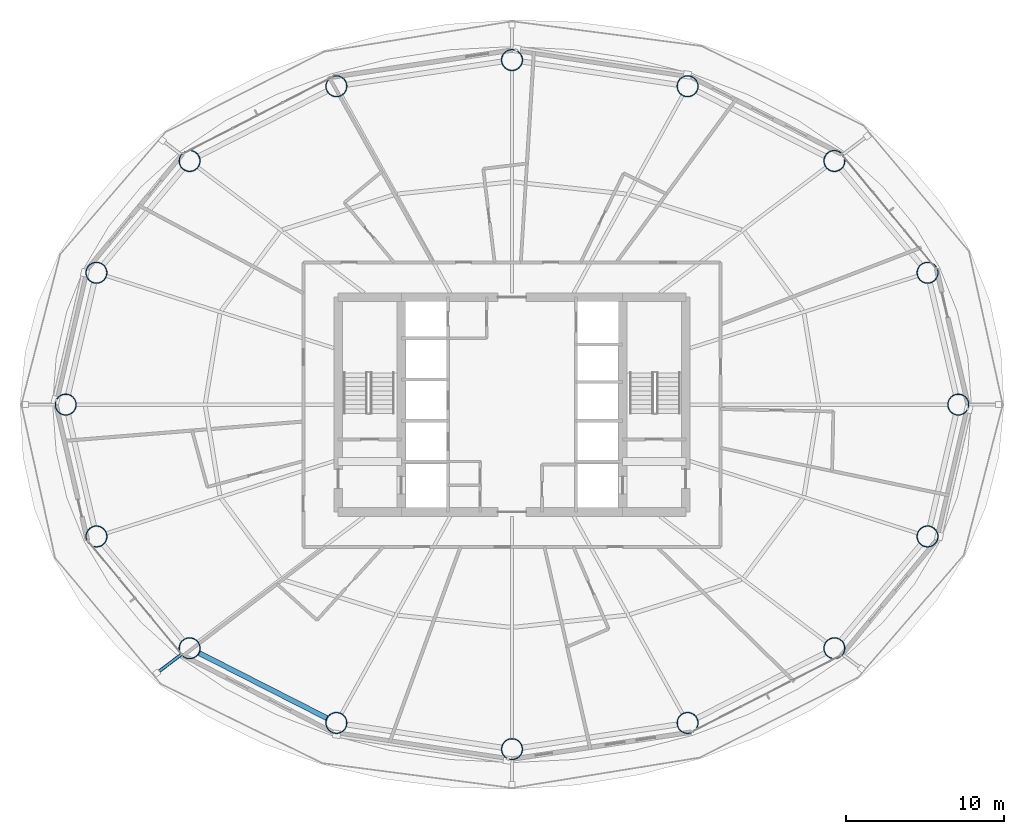
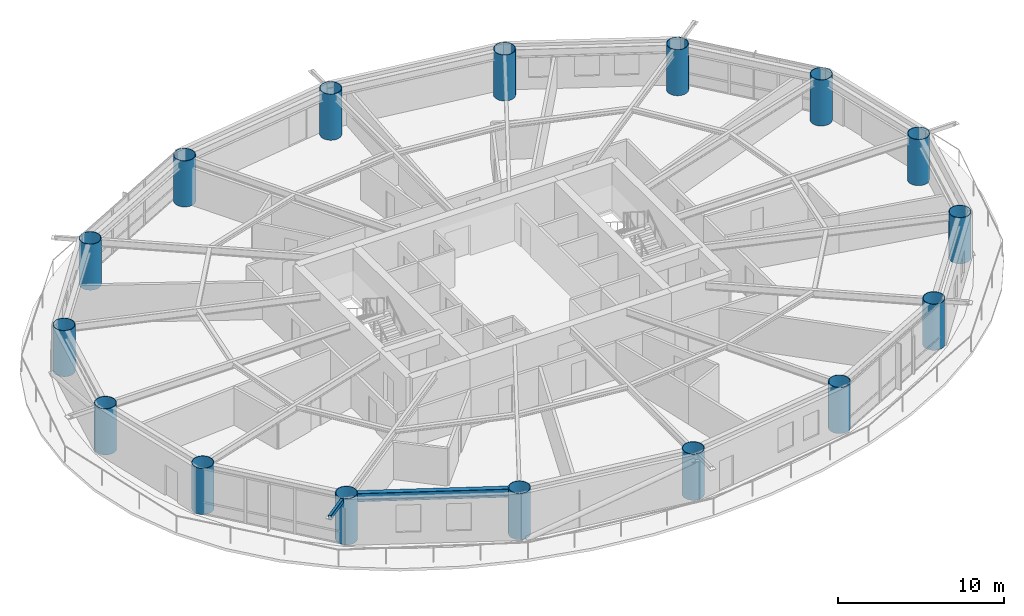
# One storey, part 1 of 24: 16 columns, 1 beam, 1 member.
"""IFC4 building model written with IfcOpenShell, lengths in metres."""

from ifc_helpers import new_model, si_unit, direction, frame, origin, origin_2d, place, context, subcontext, project, spatial, hollow_rectangle, hollow_circle, i_section, extrude, material, material_profile, profile_set, type_object, element, save


model = new_model("IFC4")

# Units and contexts
model_context = context("Model", 3, precision=1e-05, world=origin(), true_north=direction((0.0, 1.0)))
body_context = subcontext(model_context, "Body", "Model", "MODEL_VIEW")
ifc_project = project(units=[si_unit("LENGTHUNIT", "METRE"), si_unit("AREAUNIT", "SQUARE_METRE"), si_unit("VOLUMEUNIT", "CUBIC_METRE"), si_unit("PLANEANGLEUNIT", "RADIAN"), si_unit("MASSUNIT", "GRAM", prefix="KILO")], contexts=[model_context])

# Site, building, storey
site_placement = place(None, origin())
site = spatial("IfcSite", under=ifc_project, at=site_placement, CompositionType="ELEMENT")
building_placement = place(site_placement, origin())
building = spatial("IfcBuilding", under=site, at=building_placement, Name="Sarneth Arch Tower", CompositionType="ELEMENT")
storey_placement = place(building_placement, frame((0.0, 0.0, 127.199951171875)))
storey = spatial("IfcBuildingStorey", under=building, at=storey_placement, Name="L32", CompositionType="ELEMENT", Elevation=127.199951171875)

# Columns
ifc_material_1 = material(Name="Steel S355", Category="steel")
ifc_material_profile_1 = material_profile(ifc_material_1, hollow_circle(Radius=0.675048828125, WallThickness=0.035888671875, at=origin_2d()), Name="CHS1350x36")
ifc_profile_set_1 = profile_set([ifc_material_profile_1], Name="Steel S355")
column_type = type_object("IfcColumnType", Name="COL-MEGA-1350", PredefinedType="COLUMN", material=ifc_profile_set_1)
for number, where, z_axis, x_axis, name in (
    (1, (76.236572265625, 42.0, 0.0), (0.0, 0.0, 1.0), (1.0, 0.0, 0.0), "L32 Perimeter mega-column M01"),
    (2, (74.291259765625, 50.342529296875, 0.0), (0.0, 0.0, 1.0), (1.0, 0.0, 0.0), "L32 Perimeter mega-column M02"),
    (3, (68.397705078125, 57.4150390625, 0.0), (0.0, 0.0, 1.0), (1.0, 0.0, 0.0), "L32 Perimeter mega-column M03"),
    (4, (59.1103515625, 62.140625, 0.0), (0.0, 0.0, 1.0), (1.0, 0.0, 0.0), "L32 Perimeter mega-column M04"),
    (5, (48.0, 63.800048828125, 0.0), (0.0, 0.0, 1.0), (1.0, 0.0, 0.0), "L32 Perimeter mega-column M05"),
    (6, (36.8896484375, 62.140625, 0.0), (0.0, 0.0, 1.0), (1.0, 0.0, 0.0), "L32 Perimeter mega-column M06"),
    (7, (27.602294921875, 57.4150390625, 0.0), (0.0, 0.0, 1.0), (1.0, 0.0, 0.0), "L32 Perimeter mega-column M07"),
    (8, (21.708740234375, 50.342529296875, 0.0), (0.0, 0.0, 1.0), (1.0, 0.0, 0.0), "L32 Perimeter mega-column M08"),
    (9, (19.763427734375, 42.0, 0.0), (0.0, 0.0, 1.0), (1.0, 0.0, 0.0), "L32 Perimeter mega-column M09"),
    (10, (21.708740234375, 33.657470703125, 0.0), (0.0, 0.0, 1.0), (1.0, 0.0, 0.0), "L32 Perimeter mega-column M10"),
    (11, (27.602294921875, 26.5849609375, 0.0), (0.0, 0.0, 1.0), (1.0, 0.0, 0.0), "L32 Perimeter mega-column M11"),
    (12, (36.8896484375, 21.859375, 0.0), (0.0, 0.0, 1.0), (1.0, 0.0, 0.0), "L32 Perimeter mega-column M12"),
    (13, (48.0, 20.199951171875, 0.0), (0.0, 0.0, 1.0), (1.0, 0.0, 0.0), "L32 Perimeter mega-column M13"),
    (14, (59.1103515625, 21.859375, 0.0), (0.0, 0.0, 1.0), (1.0, 0.0, 0.0), "L32 Perimeter mega-column M14"),
    (15, (68.397705078125, 26.5849609375, 0.0), (0.0, 0.0, 1.0), (1.0, 0.0, 0.0), "L32 Perimeter mega-column M15"),
    (16, (74.291259765625, 33.657470703125, 0.0), (0.0, 0.0, 1.0), (1.0, 0.0, 0.0), "L32 Perimeter mega-column M16"),
):
    element("IfcColumn", number, at=place(storey_placement, frame(where, z_axis=z_axis, x_axis=x_axis)), inside=storey, type_object=column_type, Name=name, PredefinedType="COLUMN", context=body_context, shape_type="SweptSolid", body=[
        extrude(hollow_circle(Radius=0.675048828125, WallThickness=0.035888671875, at=origin_2d()), origin(), (0.0, 0.0, 1.0), 3.380126953125),
    ])

# Beam
ifc_material_2 = material(Name="Steel S355", Category="steel")
ifc_material_profile_2 = material_profile(ifc_material_2, i_section(OverallWidth=0.323974609375, OverallDepth=0.611083984375, WebThickness=0.0126953125, FlangeThickness=0.01904296875, FilletRadius=0.01904296875, at=origin_2d()), Name="W610x155")
ifc_profile_set_2 = profile_set([ifc_material_profile_2], Name="Steel S355")
beam_type = type_object("IfcBeamType", Name="BM-SPAN-610B", PredefinedType="SPANDREL", material=ifc_profile_set_2)
beam_placement = place(storey_placement, frame((28.203857421875, 26.279052734375, 3.074462890625), z_axis=(0.891255891792, -0.453500755619, 0.0), x_axis=(0.453500755619, 0.891255891792, 0.0)))
element("IfcBeam", 17, at=beam_placement, inside=storey, type_object=beam_type, Name="L32 Perimeter spandrel beam 11", PredefinedType="SPANDREL", context=body_context, shape_type="SweptSolid", body=[
    extrude(i_section(OverallWidth=0.323974609375, OverallDepth=0.611083984375, WebThickness=0.0126953125, FlangeThickness=0.01904296875, FilletRadius=0.01904296875, at=origin_2d()), origin(), (0.0, 0.0, 1.0), 9.070556640625),
])

# Member
ifc_material_3 = material(Name="Steel S355", Category="steel")
ifc_material_profile_3 = material_profile(ifc_material_3, hollow_rectangle(XDim=0.199951171875, YDim=0.300048828125, WallThickness=0.012451171875, InnerFilletRadius=0.018798828125, OuterFilletRadius=0.03125, at=origin_2d()), Name="RHS300x200x12.5")
ifc_profile_set_3 = profile_set([ifc_material_profile_3], Name="Steel S355")
member_type = type_object("IfcMemberType", Name="MEM-CANT-STRUT", PredefinedType="STRUT", material=ifc_profile_set_3)
member_placement = place(storey_placement, frame((27.063720703125, 26.177978515625, 3.219970703125), z_axis=(-0.797806410392, -0.602913701567, 0.0), x_axis=(0.602913701567, -0.797806410392, 0.0)))
element("IfcMember", 18, at=member_placement, inside=storey, type_object=member_type, Name="L32 Balcony cantilever bracket 11", PredefinedType="STRUT", context=body_context, shape_type="SweptSolid", body=[
    extrude(hollow_rectangle(XDim=0.199951171875, YDim=0.300048828125, WallThickness=0.012451171875, InnerFilletRadius=0.018798828125, OuterFilletRadius=0.03125, at=origin_2d()), origin(), (0.0, 0.0, 1.0), 1.927978515625),
])

save(model, "model.ifc")
